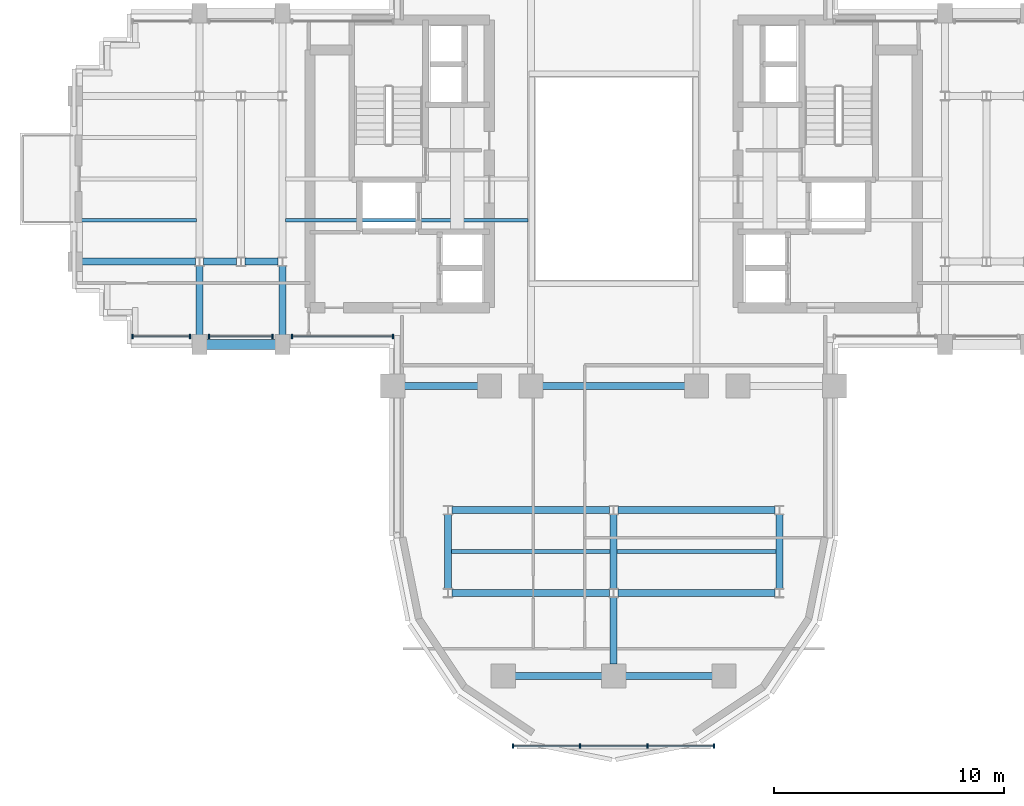
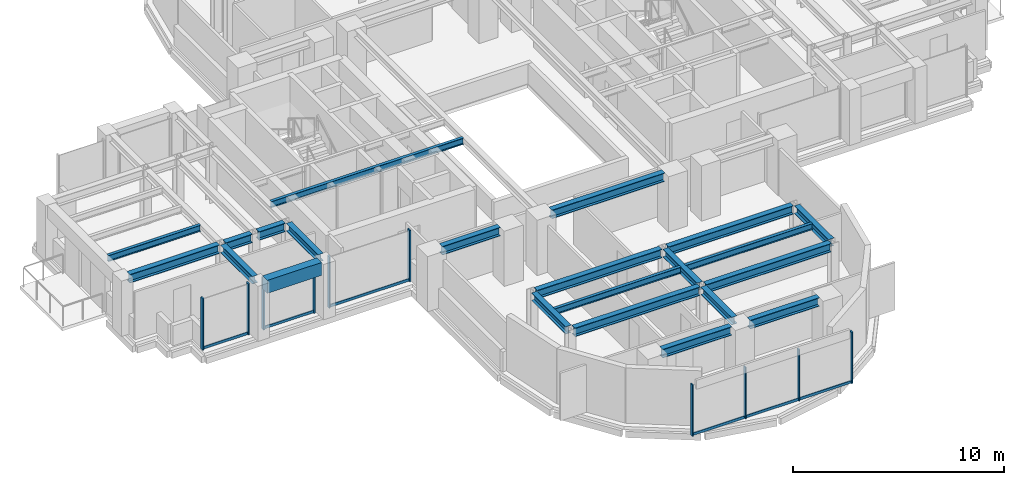
# One storey, part 3 of 13: 22 beams, 16 members, 4 elements without a shape of their own.
"""IFC4 building model written with IfcOpenShell, lengths in metres."""

import ifcopenshell
import ifcopenshell.guid

model = None  # the IFC model being written
_history = None  # IfcOwnerHistory: only IFC2X3 demands one
_inside = {}  # id of a spatial element -> (the spatial element, [elements in it])
_under = {}  # id of a project, library or spatial element -> (it, [spatial elements below it])
_declared = {}  # id of a project -> (the project, [libraries it declares])
_typed = {}  # id of a type object -> (the type object, [elements of that type])
_made_of = {}  # id of a material, layer set ... -> (it, [elements and type objects made of it])


def new_model(schema):
    """Start an empty IFC model of exactly this schema.

    Asked for "IFC4X3", IfcOpenShell would pick the latest addendum, in which some entities
    have other attributes; the version numbers below select the first issue.
    IFC2X3 requires an IfcOwnerHistory on every rooted entity: one is made here for all.
    """
    global model, _history
    if schema == "IFC4X3":
        model = ifcopenshell.file(schema_version=(4, 3, 0, 0))
    else:
        model = ifcopenshell.file(schema=schema)
    _inside.clear()
    _under.clear()
    _declared.clear()
    _typed.clear()
    _made_of.clear()
    _history = None
    if model.schema == "IFC2X3":
        org = make("IfcOrganization", Name="unknown")
        user = make(
            "IfcPersonAndOrganization",
            ThePerson=make("IfcPerson", FamilyName="unknown"),
            TheOrganization=org,
        )
        app = make(
            "IfcApplication",
            ApplicationDeveloper=org,
            Version="unknown",
            ApplicationFullName="unknown",
            ApplicationIdentifier="unknown",
        )
        _history = make(
            "IfcOwnerHistory",
            OwningUser=user,
            OwningApplication=app,
            ChangeAction="ADDED",
            CreationDate=0,
        )
    return model


def make(cls, **values):
    """One entity of the class cls with the attributes given. An attribute that is None is left unset."""
    return model.create_entity(
        cls, **{name: value for name, value in values.items() if value is not None}
    )


def rooted(cls, **values):
    """An entity with a GlobalId (a new one), such as an element, a storey or a relation."""
    return make(cls, GlobalId=ifcopenshell.guid.new(), OwnerHistory=_history, **values)


def si_unit(unit_type, name, prefix=None):
    """IfcSIUnit, for example si_unit("LENGTHUNIT", "METRE", prefix="MILLI")."""
    return make("IfcSIUnit", UnitType=unit_type, Prefix=prefix, Name=name)


def assignment(units):
    """IfcUnitAssignment: the units of a project."""
    return None if units is None else make("IfcUnitAssignment", Units=units)


def point(xyz):
    """IfcCartesianPoint."""
    return None if xyz is None else make("IfcCartesianPoint", Coordinates=xyz)


def direction(xyz):
    """IfcDirection."""
    return None if xyz is None else make("IfcDirection", DirectionRatios=xyz)


def frame(location, z_axis=None, x_axis=None):
    """IfcAxis2Placement3D, a coordinate frame: its origin and axes. An axis left out is left unset."""
    return make(
        "IfcAxis2Placement3D",
        Location=point(location),
        Axis=direction(z_axis),
        RefDirection=direction(x_axis),
    )


def frame_2d(location, x_axis=None):
    """IfcAxis2Placement2D, a coordinate frame in the plane: its origin and x axis."""
    return make(
        "IfcAxis2Placement2D", Location=point(location), RefDirection=direction(x_axis)
    )


def origin():
    """The frame at (0, 0, 0) with its axes left unset."""
    return frame((0.0, 0.0, 0.0))


def origin_2d():
    """The frame at (0, 0) in the plane with its x axis left unset."""
    return frame_2d((0.0, 0.0))


def place(relative_to, where):
    """IfcLocalPlacement: puts the frame where relative to a parent placement (None: the world)."""
    return make(
        "IfcLocalPlacement", PlacementRelTo=relative_to, RelativePlacement=where
    )


def context(
    kind, dimensions, precision=None, world=None, true_north=None, identifier=None
):
    """IfcGeometricRepresentationContext, for example the 3D "Model" context."""
    return make(
        "IfcGeometricRepresentationContext",
        ContextIdentifier=identifier,
        ContextType=kind,
        CoordinateSpaceDimension=dimensions,
        Precision=precision,
        WorldCoordinateSystem=world,
        TrueNorth=true_north,
    )


def subcontext(parent, identifier, kind, view, scale=None):
    """IfcGeometricRepresentationSubContext, for example "Body" below "Model"."""
    return make(
        "IfcGeometricRepresentationSubContext",
        ContextIdentifier=identifier,
        ContextType=kind,
        ParentContext=parent,
        TargetScale=scale,
        TargetView=view,
    )


def project(units=None, contexts=None):
    """IfcProject with its units and contexts."""
    return rooted(
        "IfcProject",
        Name="project",
        RepresentationContexts=contexts,
        UnitsInContext=assignment(units),
    )


def spatial(cls, under=None, at=None, **own):
    """A site, building, storey or space (cls), placed at a placement, below another one or the project."""
    s = rooted(cls, ObjectPlacement=at, **own)
    if under is not None:
        _under.setdefault(under.id(), (under, []))[1].append(s)
    return s


def profile(cls, at=None, kind="AREA", **sizes):
    """A parametric profile (cls). Its sizes go by their IFC names, for example OverallWidth=200.0."""
    return make(cls, ProfileType=kind, Position=at, **sizes)


def rectangle(**sizes):
    """IfcRectangleProfileDef."""
    return profile("IfcRectangleProfileDef", **sizes)


def i_section(**sizes):
    """IfcIShapeProfileDef."""
    return profile("IfcIShapeProfileDef", **sizes)


def extrude(swept, where, along, depth):
    """IfcExtrudedAreaSolid: the profile swept, set in the frame where, extruded along a direction by depth."""
    return make(
        "IfcExtrudedAreaSolid",
        SweptArea=swept,
        Position=where,
        ExtrudedDirection=direction(along),
        Depth=depth,
    )


def shape(context_of_items, identifier, shape_type, items):
    """IfcShapeRepresentation: the items that make up one representation, for example the "Body"."""
    return make(
        "IfcShapeRepresentation",
        ContextOfItems=context_of_items,
        RepresentationIdentifier=identifier,
        RepresentationType=shape_type,
        Items=items,
    )


def source(mapping_origin, context_of_items, identifier, shape_type, items):
    """IfcRepresentationMap: a shape defined once, which mapped items show again and again."""
    return make(
        "IfcRepresentationMap",
        MappingOrigin=mapping_origin,
        MappedRepresentation=shape(context_of_items, identifier, shape_type, items),
    )


def transform(
    local_origin,
    x_axis=None,
    y_axis=None,
    z_axis=None,
    scale=None,
    scale2=None,
    scale3=None,
    uniform=True,
):
    """IfcCartesianTransformationOperator3D, or its non-uniform kind. x_axis, y_axis, z_axis: its Axis1, 2, 3."""
    if uniform:
        return make(
            "IfcCartesianTransformationOperator3D",
            Axis1=direction(x_axis),
            Axis2=direction(y_axis),
            LocalOrigin=point(local_origin),
            Scale=scale,
            Axis3=direction(z_axis),
        )
    return make(
        "IfcCartesianTransformationOperator3DnonUniform",
        Axis1=direction(x_axis),
        Axis2=direction(y_axis),
        LocalOrigin=point(local_origin),
        Scale=scale,
        Axis3=direction(z_axis),
        Scale2=scale2,
        Scale3=scale3,
    )


def mapped(mapping_source, mapping_target):
    """IfcMappedItem: shows the shape of a source again, moved by a transform."""
    return make(
        "IfcMappedItem", MappingSource=mapping_source, MappingTarget=mapping_target
    )


def material(Name=None, Category=None):
    """IfcMaterial."""
    return make("IfcMaterial", Name=Name, Category=Category)


def material_profile(
    of_material, cross_section, Name=None, Category=None, Priority=None
):
    """IfcMaterialProfile: a cross section and its material."""
    return make(
        "IfcMaterialProfile",
        Name=Name,
        Material=of_material,
        Profile=cross_section,
        Priority=Priority,
        Category=Category,
    )


def profile_set(profiles, Name=None, composite=None):
    """IfcMaterialProfileSet."""
    return make(
        "IfcMaterialProfileSet",
        Name=Name,
        MaterialProfiles=profiles,
        CompositeProfile=composite,
    )


def made_of(thing, what):
    """Note that an element or type object is made of a material, layer set ...; save() writes the relation."""
    if what is not None:
        _made_of.setdefault(what.id(), (what, []))[1].append(thing)
    return thing


def type_object(cls, material=None, **own):
    """A type object (cls), such as IfcWallType, which elements share."""
    return made_of(rooted(cls, **own), material)


def element(
    cls,
    number,
    at=None,
    inside=None,
    cuts=None,
    type_object=None,
    material=None,
    context=None,
    identifier="Body",
    shape_type=None,
    held_by="IfcProductDefinitionShape",
    body=None,
    shapes=None,
    **own,
):
    """One element of the class cls, such as IfcWall. Its Tag is "e" and its number.

    at: its placement. inside: the storey or other place that contains it. cuts: it is an
    opening in that element (IfcRelVoidsElement). A single representation is given by context,
    identifier, shape_type and body (its items); several are given by shapes. held_by: the class
    of the entity that holds the representations. save() writes the other relations.
    """
    e = rooted(cls, Tag="e%d" % number, ObjectPlacement=at, **own)
    if body is not None:
        shapes = [shape(context, identifier, shape_type, body)]
    if shapes is not None:
        e.Representation = make(held_by, Representations=shapes)
    if inside is not None:
        _inside.setdefault(inside.id(), (inside, []))[1].append(e)
    if cuts is not None:
        rooted(
            "IfcRelVoidsElement", RelatingBuildingElement=cuts, RelatedOpeningElement=e
        )
    if type_object is not None:
        _typed.setdefault(type_object.id(), (type_object, []))[1].append(e)
    return made_of(e, material)


def aggregate(whole, parts):
    """IfcRelAggregates: a whole, such as a stair, and the parts it consists of."""
    return rooted("IfcRelAggregates", RelatingObject=whole, RelatedObjects=parts)


def save(model, path):
    """Write the relations noted so far, then the file.

    IfcRelAggregates (storeys below a building ...), IfcRelContainedInSpatialStructure (elements
    in a storey), IfcRelDefinesByType, IfcRelAssociatesMaterial and IfcRelDeclares: one each for
    every whole, place, type object, material and project.
    """
    for whole, parts in _under.values():
        aggregate(whole, parts)
    for where, things in _inside.values():
        rooted(
            "IfcRelContainedInSpatialStructure",
            RelatedElements=things,
            RelatingStructure=where,
        )
    for kind, things in _typed.values():
        rooted("IfcRelDefinesByType", RelatedObjects=things, RelatingType=kind)
    for what, things in _made_of.values():
        rooted("IfcRelAssociatesMaterial", RelatedObjects=things, RelatingMaterial=what)
    for by, libraries in _declared.values():
        rooted("IfcRelDeclares", RelatingContext=by, RelatedDefinitions=libraries)
    model.write(path)


model = new_model("IFC4")

# Units and contexts
model_context = context("Model", 3, precision=1e-05, world=origin(), true_north=direction((0.0, 1.0)))
body_context = subcontext(model_context, "Body", "Model", "MODEL_VIEW")
ifc_project = project(units=[si_unit("LENGTHUNIT", "METRE"), si_unit("AREAUNIT", "SQUARE_METRE"), si_unit("VOLUMEUNIT", "CUBIC_METRE"), si_unit("PLANEANGLEUNIT", "RADIAN"), si_unit("MASSUNIT", "GRAM", prefix="KILO")], contexts=[model_context])

# Site, building, storey
site_placement = place(None, origin())
site = spatial("IfcSite", under=ifc_project, at=site_placement, CompositionType="ELEMENT")
building_placement = place(site_placement, origin())
building = spatial("IfcBuilding", under=site, at=building_placement, Name="Keilestroom Media Tower", CompositionType="ELEMENT")
storey_placement = place(building_placement, frame((0.0, 0.0, 104.0)))
storey = spatial("IfcBuildingStorey", under=building, at=storey_placement, Name="L27", CompositionType="ELEMENT", Elevation=104.0)

# Beams
ifc_material_1 = material(Name="Steel S355", Category="steel")
ifc_material_profile_1 = material_profile(ifc_material_1, i_section(OverallWidth=0.169921875, OverallDepth=0.360107421875, WebThickness=0.008056640625, FlangeThickness=0.0126953125, at=origin_2d()), Name="IPE 360")
ifc_profile_set_1 = profile_set([ifc_material_profile_1], Name="Steel S355")
beam_type_1 = type_object("IfcBeamType", Name="Secondary-Floor-Joist-IPE-360", PredefinedType="JOIST", material=ifc_profile_set_1)
shared_shape_1 = source(origin(), body_context, "Body", "SweptSolid", [
    extrude(i_section(OverallWidth=0.169921875, OverallDepth=0.360107421875, WebThickness=0.008056640625, FlangeThickness=0.0126953125, at=origin_2d()), origin(), (0.0, 0.0, 1.0), 6.940185546875),
])
for number, where, z_axis, x_axis, name in (
    (1, (-7.070068359375, -16.199951171875, 3.02001953125), (1.0, 0.0, 0.0), (0.0, 1.0, 0.0), "L27 Beam BJ-5 JST-L27-069"),
    (2, (0.1298828125, -16.199951171875, 3.02001953125), (1.0, 0.0, 0.0), (0.0, 1.0, 0.0), "L27 Beam BJ-5 JST-L27-070"),
):
    element("IfcBeam", number, at=place(storey_placement, frame(where, z_axis=z_axis, x_axis=x_axis)), inside=storey, type_object=beam_type_1, Name=name, PredefinedType="JOIST", context=body_context, shape_type="MappedRepresentation", body=[
        mapped(shared_shape_1, transform((0.0, 0.0, 0.0), x_axis=(1.0, 0.0, 0.0), y_axis=(0.0, 1.0, 0.0), z_axis=(0.0, 0.0, 1.0), scale=1.0)),
    ])
shared_shape_2 = source(origin(), body_context, "Body", "SweptSolid", [
    extrude(i_section(OverallWidth=0.169921875, OverallDepth=0.360107421875, WebThickness=0.008056640625, FlangeThickness=0.0126953125, at=origin_2d()), origin(), (0.0, 0.0, 1.0), 10.5400390625),
])
beam_1_placement = place(storey_placement, frame((-14.27001953125, -1.800048828125, 3.02001953125), z_axis=(1.0, 0.0, 0.0), x_axis=(0.0, 1.0, 0.0)))
element("IfcBeam", 3, at=beam_1_placement, inside=storey, type_object=beam_type_1, Name="L27 Beam BJ-5 JST-L27-072", PredefinedType="JOIST", context=body_context, shape_type="MappedRepresentation", body=[
    mapped(shared_shape_2, transform((0.0, 0.0, 0.0), x_axis=(1.0, 0.0, 0.0), y_axis=(0.0, 1.0, 0.0), z_axis=(0.0, 0.0, 1.0), scale=1.0)),
])
ifc_material_profile_2 = material_profile(ifc_material_1, i_section(OverallWidth=0.300048828125, OverallDepth=0.5, WebThickness=0.012451171875, FlangeThickness=0.028076171875, at=origin_2d()), Name="HEB 500")
ifc_profile_set_2 = profile_set([ifc_material_profile_2], Name="Steel S355")
beam_type_2 = type_object("IfcBeamType", Name="Primary-Structural-Girder-HEB-500", PredefinedType="BEAM", material=ifc_profile_set_2)
shared_shape_3 = source(origin(), body_context, "Body", "SweptSolid", [
    extrude(i_section(OverallWidth=0.300048828125, OverallDepth=0.5, WebThickness=0.012451171875, FlangeThickness=0.028076171875, at=origin_2d()), origin(), (0.0, 0.0, 1.0), 3.7900390625),
])
for number, where, z_axis, x_axis, name in (
    (4, (-4.294921875, -21.60009765625, 2.949951171875), (1.0, 0.0, 0.0), (0.0, 1.0, 0.0), "L27 Beam BG-6 BM-L27-EW-001"),
    (5, (0.5048828125, -21.60009765625, 2.949951171875), (1.0, 0.0, 0.0), (0.0, 1.0, 0.0), "L27 Beam BG-6 BM-L27-EW-002"),
):
    element("IfcBeam", number, at=place(storey_placement, frame(where, z_axis=z_axis, x_axis=x_axis)), inside=storey, type_object=beam_type_2, Name=name, PredefinedType="BEAM", context=body_context, shape_type="MappedRepresentation", body=[
        mapped(shared_shape_3, transform((0.0, 0.0, 0.0), x_axis=(1.0, 0.0, 0.0), y_axis=(0.0, 1.0, 0.0), z_axis=(0.0, 0.0, 1.0), scale=1.0)),
    ])
shared_shape_4 = source(origin(), body_context, "Body", "SweptSolid", [
    extrude(i_section(OverallWidth=0.300048828125, OverallDepth=0.5, WebThickness=0.012451171875, FlangeThickness=0.028076171875, at=origin_2d()), origin(), (0.0, 0.0, 1.0), 6.839111328125),
])
for number, where, z_axis, x_axis, name in (
    (6, (-7.01953125, -18.0, 2.949951171875), (1.0, 0.0, 0.0), (0.0, 1.0, 0.0), "L27 Beam BG-6 BM-L27-EW-003"),
    (7, (0.180419921875, -18.0, 2.949951171875), (1.0, 0.0, 0.0), (0.0, 1.0, 0.0), "L27 Beam BG-6 BM-L27-EW-004"),
    (8, (-7.01953125, -14.39990234375, 2.949951171875), (1.0, 0.0, 0.0), (0.0, 1.0, 0.0), "L27 Beam BG-6 BM-L27-EW-005"),
    (9, (0.180419921875, -14.39990234375, 2.949951171875), (1.0, 0.0, 0.0), (0.0, 1.0, 0.0), "L27 Beam BG-6 BM-L27-EW-006"),
):
    element("IfcBeam", number, at=place(storey_placement, frame(where, z_axis=z_axis, x_axis=x_axis)), inside=storey, type_object=beam_type_2, Name=name, PredefinedType="BEAM", context=body_context, shape_type="MappedRepresentation", body=[
        mapped(shared_shape_4, transform((0.0, 0.0, 0.0), x_axis=(1.0, 0.0, 0.0), y_axis=(0.0, 1.0, 0.0), z_axis=(0.0, 0.0, 1.0), scale=1.0)),
    ])
shared_shape_5 = source(origin(), body_context, "Body", "SweptSolid", [
    extrude(i_section(OverallWidth=0.300048828125, OverallDepth=0.5, WebThickness=0.012451171875, FlangeThickness=0.028076171875, at=origin_2d()), origin(), (0.0, 0.0, 1.0), 3.18994140625),
])
beam_2_placement = place(storey_placement, frame((-9.094970703125, -9.0, 2.949951171875), z_axis=(1.0, 0.0, 0.0), x_axis=(0.0, 1.0, 0.0)))
element("IfcBeam", 10, at=beam_2_placement, inside=storey, type_object=beam_type_2, Name="L27 Beam BG-6 BM-L27-EW-007", PredefinedType="BEAM", context=body_context, shape_type="MappedRepresentation", body=[
    mapped(shared_shape_5, transform((0.0, 0.0, 0.0), x_axis=(1.0, 0.0, 0.0), y_axis=(0.0, 1.0, 0.0), z_axis=(0.0, 0.0, 1.0), scale=1.0)),
])
shared_shape_6 = source(origin(), body_context, "Body", "SweptSolid", [
    extrude(i_section(OverallWidth=0.300048828125, OverallDepth=0.5, WebThickness=0.012451171875, FlangeThickness=0.028076171875, at=origin_2d()), origin(), (0.0, 0.0, 1.0), 6.18994140625),
])
beam_3_placement = place(storey_placement, frame((-3.094970703125, -9.0, 2.949951171875), z_axis=(1.0, 0.0, 0.0), x_axis=(0.0, 1.0, 0.0)))
element("IfcBeam", 11, at=beam_3_placement, inside=storey, type_object=beam_type_2, Name="L27 Beam BG-6 BM-L27-EW-009", PredefinedType="BEAM", context=body_context, shape_type="MappedRepresentation", body=[
    mapped(shared_shape_6, transform((0.0, 0.0, 0.0), x_axis=(1.0, 0.0, 0.0), y_axis=(0.0, 1.0, 0.0), z_axis=(0.0, 0.0, 1.0), scale=1.0)),
])
ifc_material_2 = material(Name="Precast concrete C40/50", Category="concrete")
ifc_material_profile_3 = material_profile(ifc_material_2, rectangle(XDim=0.449951171875, YDim=0.75, at=origin_2d()), Name="PC 450x750")
ifc_profile_set_3 = profile_set([ifc_material_profile_3], Name="Precast concrete C40/50")
beam_type_3 = type_object("IfcBeamType", Name="Perimeter-Spandrel-Beam-PC-450x750", PredefinedType="SPANDREL", material=ifc_profile_set_3)
shared_shape_7 = source(origin(), body_context, "Body", "SweptSolid", [
    extrude(rectangle(XDim=0.449951171875, YDim=0.75, at=origin_2d()), origin(), (0.0, 0.0, 1.0), 2.989990234375),
])
beam_4_placement = place(storey_placement, frame((-17.695068359375, -7.199951171875, 2.824951171875), z_axis=(1.0, 0.0, 0.0), x_axis=(0.0, 1.0, 0.0)))
element("IfcBeam", 12, at=beam_4_placement, inside=storey, type_object=beam_type_3, Name="L27 Beam SPB-1 BM-L27-EW-012", PredefinedType="SPANDREL", context=body_context, shape_type="MappedRepresentation", body=[
    mapped(shared_shape_7, transform((0.0, 0.0, 0.0), x_axis=(1.0, 0.0, 0.0), y_axis=(0.0, 1.0, 0.0), z_axis=(0.0, 0.0, 1.0), scale=1.0)),
])
shared_shape_8 = source(origin(), body_context, "Body", "SweptSolid", [
    extrude(i_section(OverallWidth=0.300048828125, OverallDepth=0.5, WebThickness=0.012451171875, FlangeThickness=0.028076171875, at=origin_2d()), origin(), (0.0, 0.0, 1.0), 4.91455078125),
])
beam_5_placement = place(storey_placement, frame((-23.094970703125, -3.60009765625, 2.949951171875), z_axis=(1.0, 0.0, 0.0), x_axis=(0.0, 1.0, 0.0)))
element("IfcBeam", 13, at=beam_5_placement, inside=storey, type_object=beam_type_2, Name="L27 Beam BG-6 BM-L27-EW-014", PredefinedType="BEAM", context=body_context, shape_type="MappedRepresentation", body=[
    mapped(shared_shape_8, transform((0.0, 0.0, 0.0), x_axis=(1.0, 0.0, 0.0), y_axis=(0.0, 1.0, 0.0), z_axis=(0.0, 0.0, 1.0), scale=1.0)),
])
shared_shape_9 = source(origin(), body_context, "Body", "SweptSolid", [
    extrude(i_section(OverallWidth=0.300048828125, OverallDepth=0.5, WebThickness=0.012451171875, FlangeThickness=0.028076171875, at=origin_2d()), origin(), (0.0, 0.0, 1.0), 1.43896484375),
])
for number, where, z_axis, x_axis, name in (
    (14, (-17.819580078125, -3.60009765625, 2.949951171875), (1.0, 0.0, 0.0), (0.0, 1.0, 0.0), "L27 Beam BG-6 BM-L27-EW-015"),
    (15, (-16.01953125, -3.60009765625, 2.949951171875), (1.0, 0.0, 0.0), (0.0, 1.0, 0.0), "L27 Beam BG-6 BM-L27-EW-016"),
):
    element("IfcBeam", number, at=place(storey_placement, frame(where, z_axis=z_axis, x_axis=x_axis)), inside=storey, type_object=beam_type_2, Name=name, PredefinedType="BEAM", context=body_context, shape_type="MappedRepresentation", body=[
        mapped(shared_shape_9, transform((0.0, 0.0, 0.0), x_axis=(1.0, 0.0, 0.0), y_axis=(0.0, 1.0, 0.0), z_axis=(0.0, 0.0, 1.0), scale=1.0)),
    ])
shared_shape_10 = source(origin(), body_context, "Body", "SweptSolid", [
    extrude(i_section(OverallWidth=0.169921875, OverallDepth=0.360107421875, WebThickness=0.008056640625, FlangeThickness=0.0126953125, at=origin_2d()), origin(), (0.0, 0.0, 1.0), 5.065185546875),
])
beam_6_placement = place(storey_placement, frame((-23.195068359375, -1.800048828125, 3.02001953125), z_axis=(1.0, 0.0, 0.0), x_axis=(0.0, 1.0, 0.0)))
element("IfcBeam", 16, at=beam_6_placement, inside=storey, type_object=beam_type_1, Name="L27 Beam BJ-5 JST-L27-071", PredefinedType="JOIST", context=body_context, shape_type="MappedRepresentation", body=[
    mapped(shared_shape_10, transform((0.0, 0.0, 0.0), x_axis=(1.0, 0.0, 0.0), y_axis=(0.0, 1.0, 0.0), z_axis=(0.0, 0.0, 1.0), scale=1.0)),
])
ifc_material_profile_4 = material_profile(ifc_material_1, i_section(OverallWidth=0.300048828125, OverallDepth=0.43994140625, WebThickness=0.011474609375, FlangeThickness=0.02099609375, at=origin_2d()), Name="HEA 450")
ifc_profile_set_4 = profile_set([ifc_material_profile_4], Name="Steel S355")
beam_type_4 = type_object("IfcBeamType", Name="Primary-Structural-Girder-HEA-450", PredefinedType="BEAM", material=ifc_profile_set_4)
shared_shape_11 = source(origin(), body_context, "Body", "SweptSolid", [
    extrude(i_section(OverallWidth=0.300048828125, OverallDepth=0.43994140625, WebThickness=0.011474609375, FlangeThickness=0.02099609375, at=origin_2d()), origin(), (0.0, 0.0, 1.0), 3.015380859375),
])
for number, where, z_axis, x_axis, name in (
    (17, (-18.0, -6.794921875, 2.97998046875), (0.0, 1.0, 0.0), (-1.0, 0.0, 0.0), "L27 Beam BG-11 BM-L27-NS-040"),
    (18, (-14.39990234375, -6.794921875, 2.97998046875), (0.0, 1.0, 0.0), (-1.0, 0.0, 0.0), "L27 Beam BG-11 BM-L27-NS-044"),
):
    element("IfcBeam", number, at=place(storey_placement, frame(where, z_axis=z_axis, x_axis=x_axis)), inside=storey, type_object=beam_type_4, Name=name, PredefinedType="BEAM", context=body_context, shape_type="MappedRepresentation", body=[
        mapped(shared_shape_11, transform((0.0, 0.0, 0.0), x_axis=(1.0, 0.0, 0.0), y_axis=(0.0, 1.0, 0.0), z_axis=(0.0, 0.0, 1.0), scale=1.0)),
    ])
shared_shape_12 = source(origin(), body_context, "Body", "SweptSolid", [
    extrude(i_section(OverallWidth=0.300048828125, OverallDepth=0.43994140625, WebThickness=0.011474609375, FlangeThickness=0.02099609375, at=origin_2d()), origin(), (0.0, 0.0, 1.0), 3.240966796875),
])
for number, where, z_axis, x_axis, name in (
    (19, (-7.199951171875, -17.820556640625, 2.97998046875), (0.0, 1.0, 0.0), (-1.0, 0.0, 0.0), "L27 Beam BG-11 BM-L27-NS-048"),
    (20, (0.0, -17.820556640625, 2.97998046875), (0.0, 1.0, 0.0), (-1.0, 0.0, 0.0), "L27 Beam BG-11 BM-L27-NS-053"),
    (21, (7.199951171875, -17.820556640625, 2.97998046875), (0.0, 1.0, 0.0), (-1.0, 0.0, 0.0), "L27 Beam BG-11 BM-L27-NS-058"),
):
    element("IfcBeam", number, at=place(storey_placement, frame(where, z_axis=z_axis, x_axis=x_axis)), inside=storey, type_object=beam_type_4, Name=name, PredefinedType="BEAM", context=body_context, shape_type="MappedRepresentation", body=[
        mapped(shared_shape_12, transform((0.0, 0.0, 0.0), x_axis=(1.0, 0.0, 0.0), y_axis=(0.0, 1.0, 0.0), z_axis=(0.0, 0.0, 1.0), scale=1.0)),
    ])
shared_shape_13 = source(origin(), body_context, "Body", "SweptSolid", [
    extrude(i_section(OverallWidth=0.300048828125, OverallDepth=0.43994140625, WebThickness=0.011474609375, FlangeThickness=0.02099609375, at=origin_2d()), origin(), (0.0, 0.0, 1.0), 2.91552734375),
])
beam_7_placement = place(storey_placement, frame((0.0, -21.094970703125, 2.97998046875), z_axis=(0.0, 1.0, 0.0), x_axis=(-1.0, 0.0, 0.0)))
element("IfcBeam", 22, at=beam_7_placement, inside=storey, type_object=beam_type_4, Name="L27 Beam BG-11 BM-L27-NS-052", PredefinedType="BEAM", context=body_context, shape_type="MappedRepresentation", body=[
    mapped(shared_shape_13, transform((0.0, 0.0, 0.0), x_axis=(1.0, 0.0, 0.0), y_axis=(0.0, 1.0, 0.0), z_axis=(0.0, 0.0, 1.0), scale=1.0)),
])

# Curtain wall, members
ifc_material_3 = material(Name="Anodised Aluminium Alloy", Category="aluminium")
curtain_wall_type_1 = type_object("IfcCurtainWallType", Name="Unitised-Curtain-Wall-CW-6", PredefinedType="NOTDEFINED", material=ifc_material_3)
curtain_wall_1_placement = place(storey_placement, origin())
curtain_wall_1 = element("IfcCurtainWall", 23, at=curtain_wall_1_placement, inside=storey, type_object=curtain_wall_type_1, Name="L27 Curtain Wall CW-6 CW-L27-LS-1", PredefinedType="NOTDEFINED")
ifc_material_profile_5 = material_profile(ifc_material_3, rectangle(XDim=0.06494140625, YDim=0.179931640625, at=origin_2d()), Name="ALU MULLION 65x180")
ifc_profile_set_5 = profile_set([ifc_material_profile_5], Name="Anodised Aluminium Alloy")
member_type_1 = type_object("IfcMemberType", Name="Curtain-Wall-Mullion-CW-6", PredefinedType="MULLION", material=ifc_profile_set_5)
shared_shape_14 = source(origin(), body_context, "Body", "SweptSolid", [
    extrude(rectangle(XDim=0.06494140625, YDim=0.179931640625, at=origin_2d()), origin(), (0.0, 0.0, 1.0), 2.97998046875),
])
member_1_placement = place(storey_placement, frame((-4.367431640625, -24.64990234375, 0.0), z_axis=(0.0, 0.0, 1.0), x_axis=(1.0, 0.0, 0.0)))
member_1 = element("IfcMember", 24, at=member_1_placement, type_object=member_type_1, Name="CW-6 Mullion 00", PredefinedType="MULLION", context=body_context, shape_type="MappedRepresentation", body=[
    mapped(shared_shape_14, transform((0.0, 0.0, 0.0), x_axis=(1.0, 0.0, 0.0), y_axis=(0.0, 1.0, 0.0), z_axis=(0.0, 0.0, 1.0), scale=1.0)),
])
member_2_placement = place(storey_placement, frame((-1.466796875, -24.64990234375, 0.0), z_axis=(0.0, 0.0, 1.0), x_axis=(1.0, 0.0, 0.0)))
member_2 = element("IfcMember", 25, at=member_2_placement, type_object=member_type_1, Name="CW-6 Mullion 01", PredefinedType="MULLION", context=body_context, shape_type="MappedRepresentation", body=[
    mapped(shared_shape_14, transform((0.0, 0.0, 0.0), x_axis=(1.0, 0.0, 0.0), y_axis=(0.0, 1.0, 0.0), z_axis=(0.0, 0.0, 1.0), scale=1.0)),
])
member_3_placement = place(storey_placement, frame((1.466796875, -24.64990234375, 0.0), z_axis=(0.0, 0.0, 1.0), x_axis=(1.0, 0.0, 0.0)))
member_3 = element("IfcMember", 26, at=member_3_placement, type_object=member_type_1, Name="CW-6 Mullion 02", PredefinedType="MULLION", context=body_context, shape_type="MappedRepresentation", body=[
    mapped(shared_shape_14, transform((0.0, 0.0, 0.0), x_axis=(1.0, 0.0, 0.0), y_axis=(0.0, 1.0, 0.0), z_axis=(0.0, 0.0, 1.0), scale=1.0)),
])
member_4_placement = place(storey_placement, frame((4.367431640625, -24.64990234375, 0.0), z_axis=(0.0, 0.0, 1.0), x_axis=(1.0, 0.0, 0.0)))
member_4 = element("IfcMember", 27, at=member_4_placement, type_object=member_type_1, Name="CW-6 Mullion 03", PredefinedType="MULLION", context=body_context, shape_type="MappedRepresentation", body=[
    mapped(shared_shape_14, transform((0.0, 0.0, 0.0), x_axis=(1.0, 0.0, 0.0), y_axis=(0.0, 1.0, 0.0), z_axis=(0.0, 0.0, 1.0), scale=1.0)),
])
ifc_material_profile_6 = material_profile(ifc_material_3, rectangle(XDim=0.06494140625, YDim=0.14990234375, at=origin_2d()), Name="ALU TRANSOM 65x150")
ifc_profile_set_6 = profile_set([ifc_material_profile_6], Name="Anodised Aluminium Alloy")
member_type_2 = type_object("IfcMemberType", Name="Curtain-Wall-Transom-CW-6", PredefinedType="USERDEFINED", material=ifc_profile_set_6)
shared_shape_15 = source(origin(), body_context, "Body", "SweptSolid", [
    extrude(rectangle(XDim=0.06494140625, YDim=0.14990234375, at=origin_2d()), origin(), (0.0, 0.0, 1.0), 2.839599609375),
])
member_5_placement = place(storey_placement, frame((-4.3369140625, -24.64990234375, 0.074951171875), z_axis=(1.0, 0.0, 0.0), x_axis=(0.0, 1.0, 0.0)))
member_5 = element("IfcMember", 28, at=member_5_placement, type_object=member_type_2, Name="CW-6 Transom 00.1", ObjectType="TRANSOM", PredefinedType="USERDEFINED", context=body_context, shape_type="MappedRepresentation", body=[
    mapped(shared_shape_15, transform((0.0, 0.0, 0.0), x_axis=(1.0, 0.0, 0.0), y_axis=(0.0, 1.0, 0.0), z_axis=(0.0, 0.0, 1.0), scale=1.0)),
])
member_6_placement = place(storey_placement, frame((1.497314453125, -24.64990234375, 0.074951171875), z_axis=(1.0, 0.0, 0.0), x_axis=(0.0, 1.0, 0.0)))
member_6 = element("IfcMember", 29, at=member_6_placement, type_object=member_type_2, Name="CW-6 Transom 02.1", ObjectType="TRANSOM", PredefinedType="USERDEFINED", context=body_context, shape_type="MappedRepresentation", body=[
    mapped(shared_shape_15, transform((0.0, 0.0, 0.0), x_axis=(1.0, 0.0, 0.0), y_axis=(0.0, 1.0, 0.0), z_axis=(0.0, 0.0, 1.0), scale=1.0)),
])
shared_shape_16 = source(origin(), body_context, "Body", "SweptSolid", [
    extrude(rectangle(XDim=0.06494140625, YDim=0.14990234375, at=origin_2d()), origin(), (0.0, 0.0, 1.0), 2.87255859375),
])
member_7_placement = place(storey_placement, frame((-1.436279296875, -24.64990234375, 0.074951171875), z_axis=(1.0, 0.0, 0.0), x_axis=(0.0, 1.0, 0.0)))
member_7 = element("IfcMember", 30, at=member_7_placement, type_object=member_type_2, Name="CW-6 Transom 01.1", ObjectType="TRANSOM", PredefinedType="USERDEFINED", context=body_context, shape_type="MappedRepresentation", body=[
    mapped(shared_shape_16, transform((0.0, 0.0, 0.0), x_axis=(1.0, 0.0, 0.0), y_axis=(0.0, 1.0, 0.0), z_axis=(0.0, 0.0, 1.0), scale=1.0)),
])
aggregate(curtain_wall_1, [member_1, member_2, member_3, member_4, member_5, member_7, member_6])

curtain_wall_type_2 = type_object("IfcCurtainWallType", Name="Unitised-Curtain-Wall-CW-2", PredefinedType="NOTDEFINED", material=ifc_material_3)
curtain_wall_2_placement = place(storey_placement, origin())
curtain_wall_2 = element("IfcCurtainWall", 31, at=curtain_wall_2_placement, inside=storey, type_object=curtain_wall_type_2, Name="L27 Curtain Wall CW-2 CW-L27-SW-1", PredefinedType="NOTDEFINED")
ifc_material_profile_7 = material_profile(ifc_material_3, rectangle(XDim=0.070068359375, YDim=0.199951171875, at=origin_2d()), Name="ALU MULLION 70x200")
ifc_profile_set_7 = profile_set([ifc_material_profile_7], Name="Anodised Aluminium Alloy")
member_type_3 = type_object("IfcMemberType", Name="Curtain-Wall-Mullion-CW-2", PredefinedType="MULLION", material=ifc_profile_set_7)
shared_shape_17 = source(origin(), body_context, "Body", "SweptSolid", [
    extrude(rectangle(XDim=0.070068359375, YDim=0.199951171875, at=origin_2d()), origin(), (0.0, 0.0, 1.0), 2.97998046875),
])
member_8_placement = place(storey_placement, frame((-20.9150390625, -6.85009765625, 0.0), z_axis=(0.0, 0.0, 1.0), x_axis=(1.0, 0.0, 0.0)))
member_8 = element("IfcMember", 32, at=member_8_placement, type_object=member_type_3, Name="CW-2 Mullion 00", PredefinedType="MULLION", context=body_context, shape_type="MappedRepresentation", body=[
    mapped(shared_shape_17, transform((0.0, 0.0, 0.0), x_axis=(1.0, 0.0, 0.0), y_axis=(0.0, 1.0, 0.0), z_axis=(0.0, 0.0, 1.0), scale=1.0)),
])
member_9_placement = place(storey_placement, frame((-18.419921875, -6.85009765625, 0.0), z_axis=(0.0, 0.0, 1.0), x_axis=(1.0, 0.0, 0.0)))
member_9 = element("IfcMember", 33, at=member_9_placement, type_object=member_type_3, Name="CW-2 Mullion 01", PredefinedType="MULLION", context=body_context, shape_type="MappedRepresentation", body=[
    mapped(shared_shape_17, transform((0.0, 0.0, 0.0), x_axis=(1.0, 0.0, 0.0), y_axis=(0.0, 1.0, 0.0), z_axis=(0.0, 0.0, 1.0), scale=1.0)),
])

curtain_wall_3_placement = place(storey_placement, origin())
curtain_wall_3 = element("IfcCurtainWall", 34, at=curtain_wall_3_placement, inside=storey, type_object=curtain_wall_type_2, Name="L27 Curtain Wall CW-2 CW-L27-SW-2", PredefinedType="NOTDEFINED")
member_10_placement = place(storey_placement, frame((-17.580078125, -6.85009765625, 0.0), z_axis=(0.0, 0.0, 1.0), x_axis=(1.0, 0.0, 0.0)))
member_10 = element("IfcMember", 35, at=member_10_placement, type_object=member_type_3, Name="CW-2 Mullion 00", PredefinedType="MULLION", context=body_context, shape_type="MappedRepresentation", body=[
    mapped(shared_shape_17, transform((0.0, 0.0, 0.0), x_axis=(1.0, 0.0, 0.0), y_axis=(0.0, 1.0, 0.0), z_axis=(0.0, 0.0, 1.0), scale=1.0)),
])
member_11_placement = place(storey_placement, frame((-14.820068359375, -6.85009765625, 0.0), z_axis=(0.0, 0.0, 1.0), x_axis=(1.0, 0.0, 0.0)))
member_11 = element("IfcMember", 36, at=member_11_placement, type_object=member_type_3, Name="CW-2 Mullion 01", PredefinedType="MULLION", context=body_context, shape_type="MappedRepresentation", body=[
    mapped(shared_shape_17, transform((0.0, 0.0, 0.0), x_axis=(1.0, 0.0, 0.0), y_axis=(0.0, 1.0, 0.0), z_axis=(0.0, 0.0, 1.0), scale=1.0)),
])

curtain_wall_4_placement = place(storey_placement, origin())
curtain_wall_4 = element("IfcCurtainWall", 37, at=curtain_wall_4_placement, inside=storey, type_object=curtain_wall_type_2, Name="L27 Curtain Wall CW-2 CW-L27-SW-3", PredefinedType="NOTDEFINED")
member_12_placement = place(storey_placement, frame((-13.97998046875, -6.85009765625, 0.0), z_axis=(0.0, 0.0, 1.0), x_axis=(1.0, 0.0, 0.0)))
member_12 = element("IfcMember", 38, at=member_12_placement, type_object=member_type_3, Name="CW-2 Mullion 00", PredefinedType="MULLION", context=body_context, shape_type="MappedRepresentation", body=[
    mapped(shared_shape_17, transform((0.0, 0.0, 0.0), x_axis=(1.0, 0.0, 0.0), y_axis=(0.0, 1.0, 0.0), z_axis=(0.0, 0.0, 1.0), scale=1.0)),
])
member_13_placement = place(storey_placement, frame((-9.5849609375, -6.85009765625, 0.0), z_axis=(0.0, 0.0, 1.0), x_axis=(1.0, 0.0, 0.0)))
member_13 = element("IfcMember", 39, at=member_13_placement, type_object=member_type_3, Name="CW-2 Mullion 01", PredefinedType="MULLION", context=body_context, shape_type="MappedRepresentation", body=[
    mapped(shared_shape_17, transform((0.0, 0.0, 0.0), x_axis=(1.0, 0.0, 0.0), y_axis=(0.0, 1.0, 0.0), z_axis=(0.0, 0.0, 1.0), scale=1.0)),
])

# Member
ifc_material_profile_8 = material_profile(ifc_material_3, rectangle(XDim=0.06494140625, YDim=0.14990234375, at=origin_2d()), Name="ALU TRANSOM 65x150")
ifc_profile_set_8 = profile_set([ifc_material_profile_8], Name="Anodised Aluminium Alloy")
member_type_4 = type_object("IfcMemberType", Name="Curtain-Wall-Transom-CW-2", PredefinedType="USERDEFINED", material=ifc_profile_set_8)
shared_shape_18 = source(origin(), body_context, "Body", "SweptSolid", [
    extrude(rectangle(XDim=0.06494140625, YDim=0.14990234375, at=origin_2d()), origin(), (0.0, 0.0, 1.0), 2.42919921875),
])
member_14_placement = place(storey_placement, frame((-20.882080078125, -6.85009765625, 0.074951171875), z_axis=(1.0, 0.0, 0.0), x_axis=(0.0, 1.0, 0.0)))
member_14 = element("IfcMember", 40, at=member_14_placement, type_object=member_type_4, Name="CW-2 Transom 00.1", ObjectType="TRANSOM", PredefinedType="USERDEFINED", context=body_context, shape_type="MappedRepresentation", body=[
    mapped(shared_shape_18, transform((0.0, 0.0, 0.0), x_axis=(1.0, 0.0, 0.0), y_axis=(0.0, 1.0, 0.0), z_axis=(0.0, 0.0, 1.0), scale=1.0)),
])

aggregate(curtain_wall_2, [member_8, member_9, member_14])

shared_shape_19 = source(origin(), body_context, "Body", "SweptSolid", [
    extrude(rectangle(XDim=0.06494140625, YDim=0.14990234375, at=origin_2d()), origin(), (0.0, 0.0, 1.0), 2.694091796875),
])
member_15_placement = place(storey_placement, frame((-17.547119140625, -6.85009765625, 0.074951171875), z_axis=(1.0, 0.0, 0.0), x_axis=(0.0, 1.0, 0.0)))
member_15 = element("IfcMember", 41, at=member_15_placement, type_object=member_type_4, Name="CW-2 Transom 00.1", ObjectType="TRANSOM", PredefinedType="USERDEFINED", context=body_context, shape_type="MappedRepresentation", body=[
    mapped(shared_shape_19, transform((0.0, 0.0, 0.0), x_axis=(1.0, 0.0, 0.0), y_axis=(0.0, 1.0, 0.0), z_axis=(0.0, 0.0, 1.0), scale=1.0)),
])

aggregate(curtain_wall_3, [member_10, member_11, member_15])

shared_shape_20 = source(origin(), body_context, "Body", "SweptSolid", [
    extrude(rectangle(XDim=0.06494140625, YDim=0.14990234375, at=origin_2d()), origin(), (0.0, 0.0, 1.0), 4.3291015625),
])
member_16_placement = place(storey_placement, frame((-13.947021484375, -6.85009765625, 0.074951171875), z_axis=(1.0, 0.0, 0.0), x_axis=(0.0, 1.0, 0.0)))
member_16 = element("IfcMember", 42, at=member_16_placement, type_object=member_type_4, Name="CW-2 Transom 00.1", ObjectType="TRANSOM", PredefinedType="USERDEFINED", context=body_context, shape_type="MappedRepresentation", body=[
    mapped(shared_shape_20, transform((0.0, 0.0, 0.0), x_axis=(1.0, 0.0, 0.0), y_axis=(0.0, 1.0, 0.0), z_axis=(0.0, 0.0, 1.0), scale=1.0)),
])

aggregate(curtain_wall_4, [member_12, member_13, member_16])

save(model, "model.ifc")
